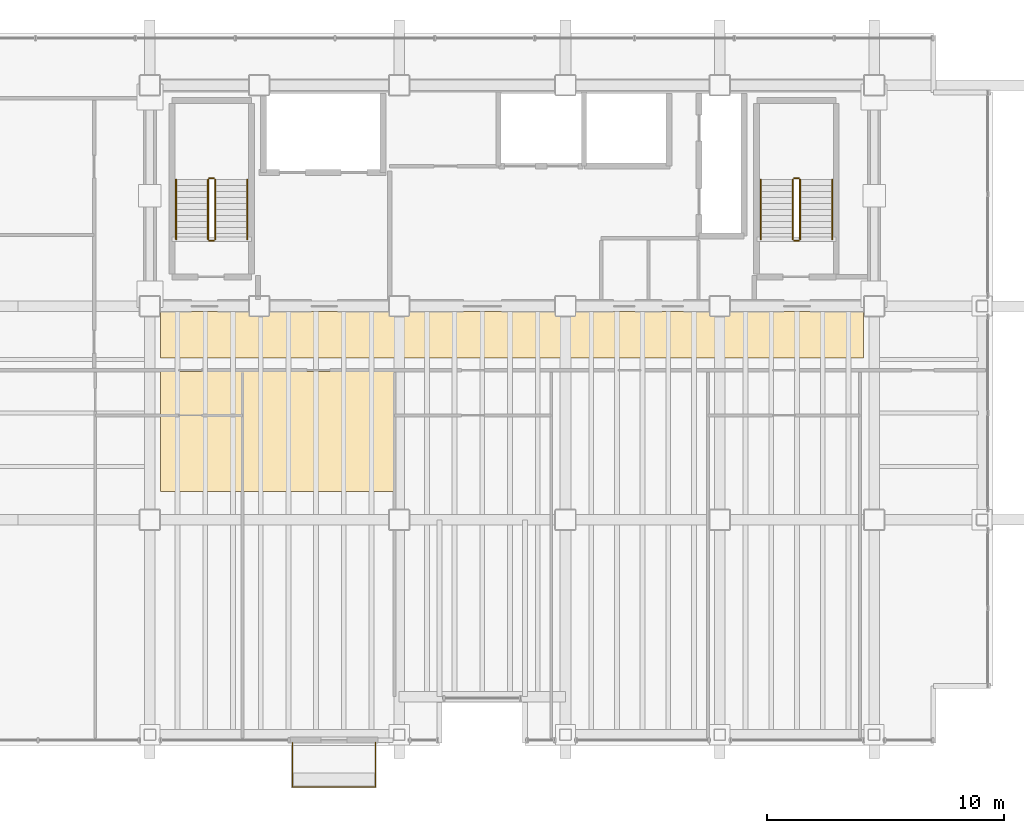
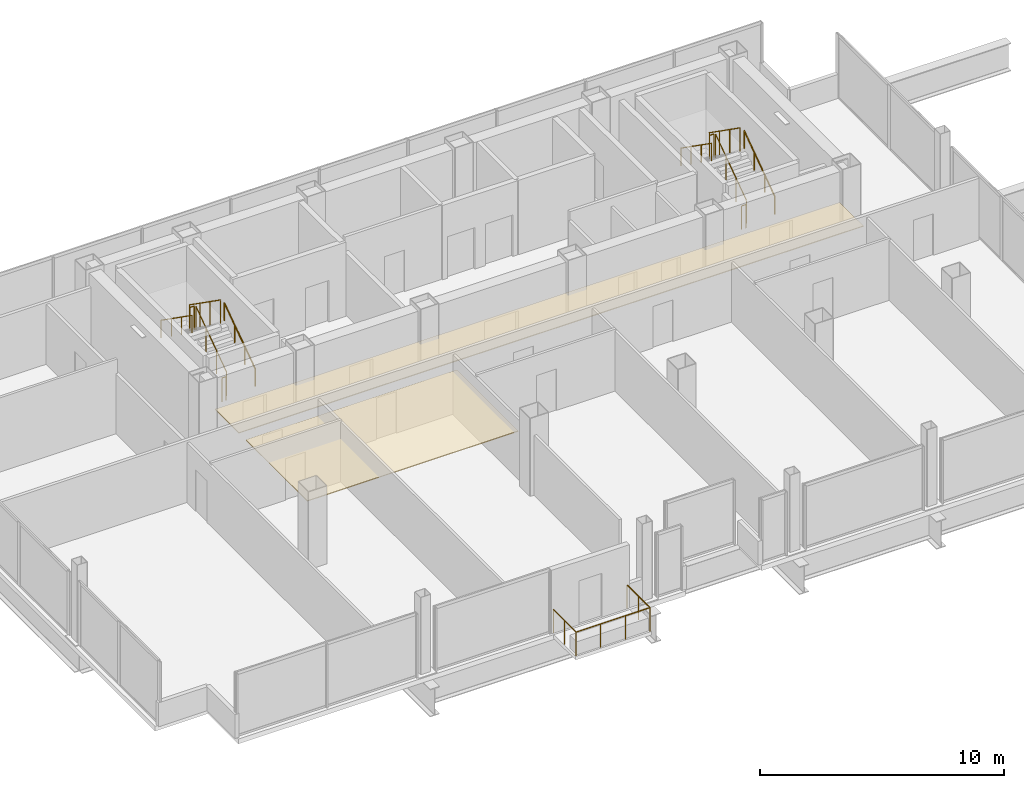
# One storey, part 24 of 24: 13 railings, 2 coverings.
"""IFC4 building model written with IfcOpenShell, lengths in metres."""

from ifc_helpers import new_model, si_unit, direction, frame, origin, origin_2d, place, context, subcontext, project, spatial, polyline, circle, outline, extrude, material, layer, layer_set, type_object, element, save


model = new_model("IFC4")

# Units and contexts
model_context = context("Model", 3, precision=1e-05, world=origin(), true_north=direction((0.0, 1.0)))
body_context = subcontext(model_context, "Body", "Model", "MODEL_VIEW")
ifc_project = project(units=[si_unit("LENGTHUNIT", "METRE"), si_unit("AREAUNIT", "SQUARE_METRE"), si_unit("VOLUMEUNIT", "CUBIC_METRE"), si_unit("PLANEANGLEUNIT", "RADIAN"), si_unit("MASSUNIT", "GRAM", prefix="KILO")], contexts=[model_context])

# Site, building, storey
site_placement = place(None, origin())
site = spatial("IfcSite", under=ifc_project, at=site_placement, CompositionType="ELEMENT")
building_placement = place(site_placement, origin())
building = spatial("IfcBuilding", under=site, at=building_placement, Name="Noeulbin Bourse Tower", CompositionType="ELEMENT")
storey_placement = place(building_placement, frame((0.0, 0.0, 114.89990234375)))
storey = spatial("IfcBuildingStorey", under=building, at=storey_placement, Name="L28", CompositionType="ELEMENT", Elevation=114.89990234375)

# Coverings
ifc_material_1 = material(Name="Perforated Mineral-Fibre Acoustic Tile")
ifc_layer_1 = layer(ifc_material_1, 0.0400390625)
ifc_layer_set_1 = layer_set([ifc_layer_1], Name="Perforated Mineral-Fibre Acoustic Tile")
covering_type = type_object("IfcCoveringType", Name="COV-CEIL-ACT", PredefinedType="CEILING", material=ifc_layer_set_1)
covering_1_placement = place(storey_placement, frame((0.0, 0.0, 2.110107421875)))
element("IfcCovering", 1, at=covering_1_placement, inside=storey, type_object=covering_type, Name="Corridor Suspended Ceiling L28", PredefinedType="CEILING", context=body_context, shape_type="SweptSolid", body=[
    extrude(outline(polyline([(13.949951171875, 26.820068359375), (43.550048828125, 26.820068359375), (43.550048828125, 28.780029296875), (13.949951171875, 28.780029296875), (13.949951171875, 26.820068359375)])), origin(), (0.0, 0.0, 1.0), 0.0400390625),
])
covering_2_placement = place(storey_placement, frame((0.0, 0.0, 2.110107421875)))
element("IfcCovering", 2, at=covering_2_placement, inside=storey, type_object=covering_type, Name="Trading Suite Acoustic Ceiling L28", PredefinedType="CEILING", context=body_context, shape_type="SweptSolid", body=[
    extrude(outline(polyline([(13.949951171875, 21.199951171875), (23.949951171875, 21.199951171875), (23.949951171875, 26.25), (13.949951171875, 26.25), (13.949951171875, 21.199951171875)])), origin(), (0.0, 0.0, 1.0), 0.0400390625),
])

# Railings
ifc_material_2 = material(Name="Laminated SentryGlas and Stainless Steel 316", Category="steel")
ifc_layer_2 = layer(ifc_material_2, 0.06005859375)
ifc_layer_set_2 = layer_set([ifc_layer_2], Name="Laminated SentryGlas and Stainless Steel 316")
railing_type_1 = type_object("IfcRailingType", Name="RLG-BAL-1200", PredefinedType="BALUSTRADE", material=ifc_layer_set_2)
railing_1_placement = place(storey_placement, frame((19.5, 10.6201171875, 0.0)))
element("IfcRailing", 3, at=railing_1_placement, inside=storey, type_object=railing_type_1, Name="Tree-Balcony Glazed Balustrade L28", PredefinedType="BALUSTRADE", context=body_context, shape_type="SweptSolid", body=[
    extrude(circle(Radius=0.02392578125, at=origin_2d()), frame((0.0, 0.0, 1.17578125), z_axis=(0.0, -1.0, 0.0), x_axis=(1.0, 0.0, 0.0)), (0.0, 0.0, 1.0), 1.8701171875),
    extrude(circle(Radius=0.02392578125, at=origin_2d()), frame((0.0, -1.8701171875, 1.17578125), z_axis=(1.0, 0.0, 0.0), x_axis=(0.0, 1.0, 0.0)), (0.0, 0.0, 1.0), 3.5),
    extrude(circle(Radius=0.02392578125, at=origin_2d()), frame((3.5, -1.8701171875, 1.17578125), z_axis=(0.0, 1.0, 0.0), x_axis=(-1.0, 0.0, 0.0)), (0.0, 0.0, 1.0), 1.8701171875),
    extrude(circle(Radius=0.02099609375, at=origin_2d()), origin(), (0.0, 0.0, 1.0), 1.15185546875),
    extrude(circle(Radius=0.02099609375, at=origin_2d()), frame((0.0, -0.93505859375, 0.0)), (0.0, 0.0, 1.0), 1.15185546875),
    extrude(circle(Radius=0.02099609375, at=origin_2d()), frame((0.0, -1.8701171875, 0.0)), (0.0, 0.0, 1.0), 1.15185546875),
    extrude(circle(Radius=0.02099609375, at=origin_2d()), frame((1.166748046875, -1.8701171875, 0.0)), (0.0, 0.0, 1.0), 1.15185546875),
    extrude(circle(Radius=0.02099609375, at=origin_2d()), frame((2.333251953125, -1.8701171875, 0.0)), (0.0, 0.0, 1.0), 1.15185546875),
    extrude(circle(Radius=0.02099609375, at=origin_2d()), frame((3.5, -1.8701171875, 0.0)), (0.0, 0.0, 1.0), 1.15185546875),
    extrude(circle(Radius=0.02099609375, at=origin_2d()), frame((3.5, -0.93505859375, 0.0)), (0.0, 0.0, 1.0), 1.15185546875),
    extrude(circle(Radius=0.02099609375, at=origin_2d()), frame((3.5, 0.0, 0.0)), (0.0, 0.0, 1.0), 1.15185546875),
])
ifc_material_3 = material(Name="Painted Tubular Steel S355", Category="steel")
ifc_layer_3 = layer(ifc_material_3, 0.048095703125)
ifc_layer_set_3 = layer_set([ifc_layer_3], Name="Painted Tubular Steel S355")
railing_type_2 = type_object("IfcRailingType", Name="RLG-STR-GRD", PredefinedType="GUARDRAIL", material=ifc_layer_set_3)
railing_2_placement = place(storey_placement, frame((16.25, 31.81005859375, 0.177490234375)))
element("IfcRailing", 4, at=railing_2_placement, inside=storey, type_object=railing_type_2, Name="L28 ST-1 stair guard 1", PredefinedType="GUARDRAIL", context=body_context, shape_type="SweptSolid", body=[
    extrude(circle(Radius=0.02392578125, at=origin_2d()), frame((0.0, 0.0, 1.17578125), z_axis=(0.0, 0.817904474719, 0.575354039036), x_axis=(-1.0, 0.0, 0.0)), (0.0, 0.0, 1.0), 3.0810546875),
    extrude(circle(Radius=0.02099609375, at=origin_2d()), origin(), (0.0, 0.0, 1.0), 1.15185546875),
    extrude(circle(Radius=0.02099609375, at=origin_2d()), frame((0.0, 0.840087890625, 0.5908203125)), (0.0, 0.0, 1.0), 1.15185546875),
    extrude(circle(Radius=0.02099609375, at=origin_2d()), frame((0.0, 1.679931640625, 1.181884765625)), (0.0, 0.0, 1.0), 1.15185546875),
    extrude(circle(Radius=0.02099609375, at=origin_2d()), frame((0.0, 2.52001953125, 1.772705078125)), (0.0, 0.0, 1.0), 1.15185546875),
])
railing_3_placement = place(storey_placement, frame((16.199951171875, 34.3798828125, 1.9501953125)))
element("IfcRailing", 5, at=railing_3_placement, inside=storey, type_object=railing_type_2, Name="L28 ST-1 stair guard 2", PredefinedType="GUARDRAIL", context=body_context, shape_type="SweptSolid", body=[
    extrude(circle(Radius=0.02392578125, at=origin_2d()), frame((0.0, 0.0, 1.17578125), z_axis=(-1.0, 0.0, 0.0), x_axis=(0.0, -1.0, 0.0)), (0.0, 0.0, 1.0), 0.199951171875),
    extrude(circle(Radius=0.02099609375, at=origin_2d()), origin(), (0.0, 0.0, 1.0), 1.15185546875),
    extrude(circle(Radius=0.02099609375, at=origin_2d()), frame((-0.199951171875, 0.0, 0.0)), (0.0, 0.0, 1.0), 1.15185546875),
])
railing_4_placement = place(storey_placement, frame((15.949951171875, 34.330078125, 2.12744140625)))
element("IfcRailing", 6, at=railing_4_placement, inside=storey, type_object=railing_type_2, Name="L28 ST-1 stair guard 3", PredefinedType="GUARDRAIL", context=body_context, shape_type="SweptSolid", body=[
    extrude(circle(Radius=0.02392578125, at=origin_2d()), frame((0.0, 0.0, 1.17578125), z_axis=(0.0, -0.817904474719, 0.575354039036), x_axis=(1.0, 0.0, 0.0)), (0.0, 0.0, 1.0), 3.0810546875),
    extrude(circle(Radius=0.02099609375, at=origin_2d()), origin(), (0.0, 0.0, 1.0), 1.15185546875),
    extrude(circle(Radius=0.02099609375, at=origin_2d()), frame((0.0, -0.840087890625, 0.5908203125)), (0.0, 0.0, 1.0), 1.15185546875),
    extrude(circle(Radius=0.02099609375, at=origin_2d()), frame((0.0, -1.679931640625, 1.181884765625)), (0.0, 0.0, 1.0), 1.15185546875),
    extrude(circle(Radius=0.02099609375, at=origin_2d()), frame((0.0, -2.52001953125, 1.772705078125)), (0.0, 0.0, 1.0), 1.15185546875),
])
railing_5_placement = place(storey_placement, frame((16.199951171875, 31.760009765625, 0.0)))
element("IfcRailing", 7, at=railing_5_placement, inside=storey, type_object=railing_type_2, Name="L28 ST-1 stair guard 4", PredefinedType="GUARDRAIL", context=body_context, shape_type="SweptSolid", body=[
    extrude(circle(Radius=0.02392578125, at=origin_2d()), frame((0.0, 0.0, 1.17578125), z_axis=(-1.0, 0.0, 0.0), x_axis=(0.0, -1.0, 0.0)), (0.0, 0.0, 1.0), 0.199951171875),
    extrude(circle(Radius=0.02099609375, at=origin_2d()), origin(), (0.0, 0.0, 1.0), 1.15185546875),
    extrude(circle(Radius=0.02099609375, at=origin_2d()), frame((-0.199951171875, 0.0, 0.0)), (0.0, 0.0, 1.0), 1.15185546875),
])
railing_6_placement = place(storey_placement, frame((40.8798828125, 31.81005859375, 0.177490234375)))
element("IfcRailing", 8, at=railing_6_placement, inside=storey, type_object=railing_type_2, Name="L28 ST-2 stair guard 1", PredefinedType="GUARDRAIL", context=body_context, shape_type="SweptSolid", body=[
    extrude(circle(Radius=0.02392578125, at=origin_2d()), frame((0.0, 0.0, 1.17578125), z_axis=(0.0, 0.817904474719, 0.575354039036), x_axis=(-1.0, 0.0, 0.0)), (0.0, 0.0, 1.0), 3.0810546875),
    extrude(circle(Radius=0.02099609375, at=origin_2d()), origin(), (0.0, 0.0, 1.0), 1.15185546875),
    extrude(circle(Radius=0.02099609375, at=origin_2d()), frame((0.0, 0.840087890625, 0.5908203125)), (0.0, 0.0, 1.0), 1.15185546875),
    extrude(circle(Radius=0.02099609375, at=origin_2d()), frame((0.0, 1.679931640625, 1.181884765625)), (0.0, 0.0, 1.0), 1.15185546875),
    extrude(circle(Radius=0.02099609375, at=origin_2d()), frame((0.0, 2.52001953125, 1.772705078125)), (0.0, 0.0, 1.0), 1.15185546875),
])
railing_7_placement = place(storey_placement, frame((40.830078125, 34.3798828125, 1.9501953125)))
element("IfcRailing", 9, at=railing_7_placement, inside=storey, type_object=railing_type_2, Name="L28 ST-2 stair guard 2", PredefinedType="GUARDRAIL", context=body_context, shape_type="SweptSolid", body=[
    extrude(circle(Radius=0.02392578125, at=origin_2d()), frame((0.0, 0.0, 1.17578125), z_axis=(-1.0, 0.0, 0.0), x_axis=(0.0, -1.0, 0.0)), (0.0, 0.0, 1.0), 0.2001953125),
    extrude(circle(Radius=0.02099609375, at=origin_2d()), origin(), (0.0, 0.0, 1.0), 1.15185546875),
    extrude(circle(Radius=0.02099609375, at=origin_2d()), frame((-0.2001953125, 0.0, 0.0)), (0.0, 0.0, 1.0), 1.15185546875),
])
railing_8_placement = place(storey_placement, frame((40.580078125, 34.330078125, 2.12744140625)))
element("IfcRailing", 10, at=railing_8_placement, inside=storey, type_object=railing_type_2, Name="L28 ST-2 stair guard 3", PredefinedType="GUARDRAIL", context=body_context, shape_type="SweptSolid", body=[
    extrude(circle(Radius=0.02392578125, at=origin_2d()), frame((0.0, 0.0, 1.17578125), z_axis=(0.0, -0.817904474719, 0.575354039036), x_axis=(1.0, 0.0, 0.0)), (0.0, 0.0, 1.0), 3.0810546875),
    extrude(circle(Radius=0.02099609375, at=origin_2d()), origin(), (0.0, 0.0, 1.0), 1.15185546875),
    extrude(circle(Radius=0.02099609375, at=origin_2d()), frame((0.0, -0.840087890625, 0.5908203125)), (0.0, 0.0, 1.0), 1.15185546875),
    extrude(circle(Radius=0.02099609375, at=origin_2d()), frame((0.0, -1.679931640625, 1.181884765625)), (0.0, 0.0, 1.0), 1.15185546875),
    extrude(circle(Radius=0.02099609375, at=origin_2d()), frame((0.0, -2.52001953125, 1.772705078125)), (0.0, 0.0, 1.0), 1.15185546875),
])
railing_9_placement = place(storey_placement, frame((40.830078125, 31.760009765625, 0.0)))
element("IfcRailing", 11, at=railing_9_placement, inside=storey, type_object=railing_type_2, Name="L28 ST-2 stair guard 4", PredefinedType="GUARDRAIL", context=body_context, shape_type="SweptSolid", body=[
    extrude(circle(Radius=0.02392578125, at=origin_2d()), frame((0.0, 0.0, 1.17578125), z_axis=(-1.0, 0.0, 0.0), x_axis=(0.0, -1.0, 0.0)), (0.0, 0.0, 1.0), 0.2001953125),
    extrude(circle(Radius=0.02099609375, at=origin_2d()), origin(), (0.0, 0.0, 1.0), 1.15185546875),
    extrude(circle(Radius=0.02099609375, at=origin_2d()), frame((-0.2001953125, 0.0, 0.0)), (0.0, 0.0, 1.0), 1.15185546875),
])
ifc_material_4 = material(Name="Brushed Stainless Steel 316", Category="steel")
ifc_layer_4 = layer(ifc_material_4, 0.048095703125)
ifc_layer_set_4 = layer_set([ifc_layer_4], Name="Brushed Stainless Steel 316")
railing_type_3 = type_object("IfcRailingType", Name="RLG-STR-HND", PredefinedType="HANDRAIL", material=ifc_layer_set_4)
railing_10_placement = place(storey_placement, frame((17.60009765625, 31.81005859375, 0.177490234375)))
element("IfcRailing", 12, at=railing_10_placement, inside=storey, type_object=railing_type_3, Name="L28 ST-1 stair handrail 1", PredefinedType="HANDRAIL", context=body_context, shape_type="SweptSolid", body=[
    extrude(circle(Radius=0.02392578125, at=origin_2d()), frame((0.0, 0.0, 0.8759765625), z_axis=(0.0, 0.817904474719, 0.575354039036), x_axis=(-1.0, 0.0, 0.0)), (0.0, 0.0, 1.0), 3.0810546875),
    extrude(circle(Radius=0.02099609375, at=origin_2d()), origin(), (0.0, 0.0, 1.0), 0.851806640625),
    extrude(circle(Radius=0.02099609375, at=origin_2d()), frame((0.0, 0.840087890625, 0.5908203125)), (0.0, 0.0, 1.0), 0.851806640625),
    extrude(circle(Radius=0.02099609375, at=origin_2d()), frame((0.0, 1.679931640625, 1.181884765625)), (0.0, 0.0, 1.0), 0.851806640625),
    extrude(circle(Radius=0.02099609375, at=origin_2d()), frame((0.0, 2.52001953125, 1.772705078125)), (0.0, 0.0, 1.0), 0.851806640625),
])
railing_11_placement = place(storey_placement, frame((14.60009765625, 34.330078125, 2.12744140625)))
element("IfcRailing", 13, at=railing_11_placement, inside=storey, type_object=railing_type_3, Name="L28 ST-1 stair handrail 2", PredefinedType="HANDRAIL", context=body_context, shape_type="SweptSolid", body=[
    extrude(circle(Radius=0.02392578125, at=origin_2d()), frame((0.0, 0.0, 0.8759765625), z_axis=(0.0, -0.817904474719, 0.575354039036), x_axis=(1.0, 0.0, 0.0)), (0.0, 0.0, 1.0), 3.0810546875),
    extrude(circle(Radius=0.02099609375, at=origin_2d()), origin(), (0.0, 0.0, 1.0), 0.851806640625),
    extrude(circle(Radius=0.02099609375, at=origin_2d()), frame((0.0, -0.840087890625, 0.5908203125)), (0.0, 0.0, 1.0), 0.851806640625),
    extrude(circle(Radius=0.02099609375, at=origin_2d()), frame((0.0, -1.679931640625, 1.181884765625)), (0.0, 0.0, 1.0), 0.851806640625),
    extrude(circle(Radius=0.02099609375, at=origin_2d()), frame((0.0, -2.52001953125, 1.772705078125)), (0.0, 0.0, 1.0), 0.851806640625),
])
railing_12_placement = place(storey_placement, frame((42.22998046875, 31.81005859375, 0.177490234375)))
element("IfcRailing", 14, at=railing_12_placement, inside=storey, type_object=railing_type_3, Name="L28 ST-2 stair handrail 1", PredefinedType="HANDRAIL", context=body_context, shape_type="SweptSolid", body=[
    extrude(circle(Radius=0.02392578125, at=origin_2d()), frame((0.0, 0.0, 0.8759765625), z_axis=(0.0, 0.817904474719, 0.575354039036), x_axis=(-1.0, 0.0, 0.0)), (0.0, 0.0, 1.0), 3.0810546875),
    extrude(circle(Radius=0.02099609375, at=origin_2d()), origin(), (0.0, 0.0, 1.0), 0.851806640625),
    extrude(circle(Radius=0.02099609375, at=origin_2d()), frame((0.0, 0.840087890625, 0.5908203125)), (0.0, 0.0, 1.0), 0.851806640625),
    extrude(circle(Radius=0.02099609375, at=origin_2d()), frame((0.0, 1.679931640625, 1.181884765625)), (0.0, 0.0, 1.0), 0.851806640625),
    extrude(circle(Radius=0.02099609375, at=origin_2d()), frame((0.0, 2.52001953125, 1.772705078125)), (0.0, 0.0, 1.0), 0.851806640625),
])
railing_13_placement = place(storey_placement, frame((39.22998046875, 34.330078125, 2.12744140625)))
element("IfcRailing", 15, at=railing_13_placement, inside=storey, type_object=railing_type_3, Name="L28 ST-2 stair handrail 2", PredefinedType="HANDRAIL", context=body_context, shape_type="SweptSolid", body=[
    extrude(circle(Radius=0.02392578125, at=origin_2d()), frame((0.0, 0.0, 0.8759765625), z_axis=(0.0, -0.817904474719, 0.575354039036), x_axis=(1.0, 0.0, 0.0)), (0.0, 0.0, 1.0), 3.0810546875),
    extrude(circle(Radius=0.02099609375, at=origin_2d()), origin(), (0.0, 0.0, 1.0), 0.851806640625),
    extrude(circle(Radius=0.02099609375, at=origin_2d()), frame((0.0, -0.840087890625, 0.5908203125)), (0.0, 0.0, 1.0), 0.851806640625),
    extrude(circle(Radius=0.02099609375, at=origin_2d()), frame((0.0, -1.679931640625, 1.181884765625)), (0.0, 0.0, 1.0), 0.851806640625),
    extrude(circle(Radius=0.02099609375, at=origin_2d()), frame((0.0, -2.52001953125, 1.772705078125)), (0.0, 0.0, 1.0), 0.851806640625),
])

save(model, "model.ifc")
